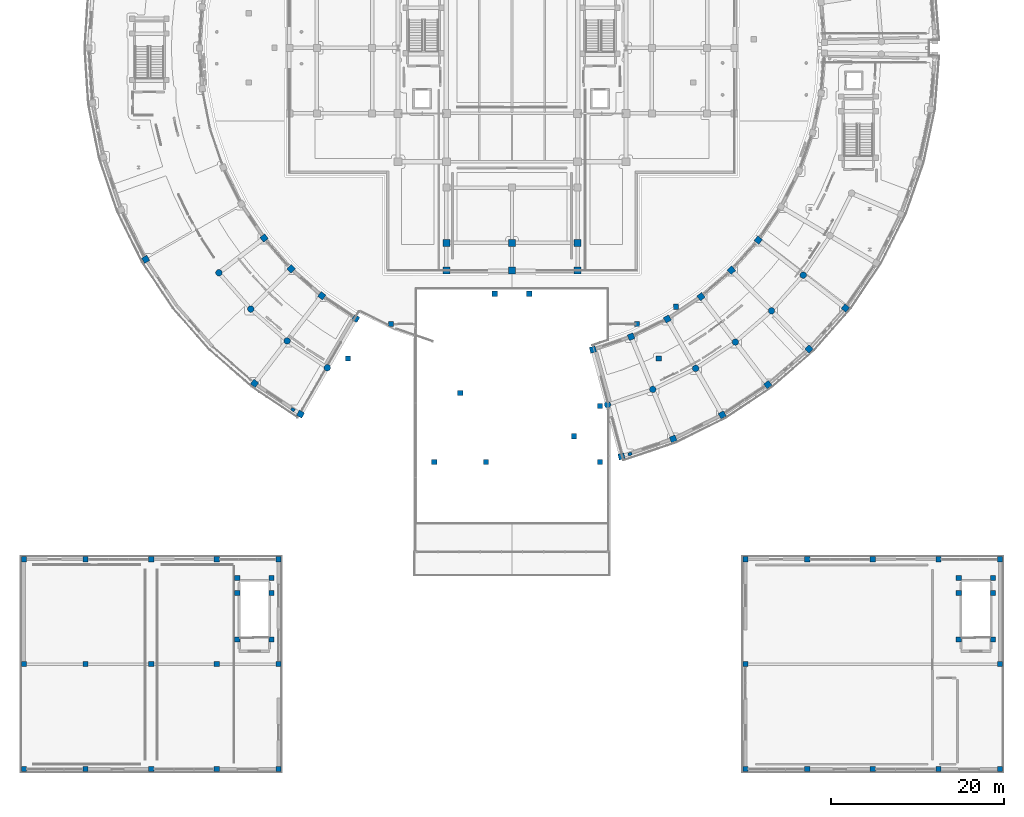
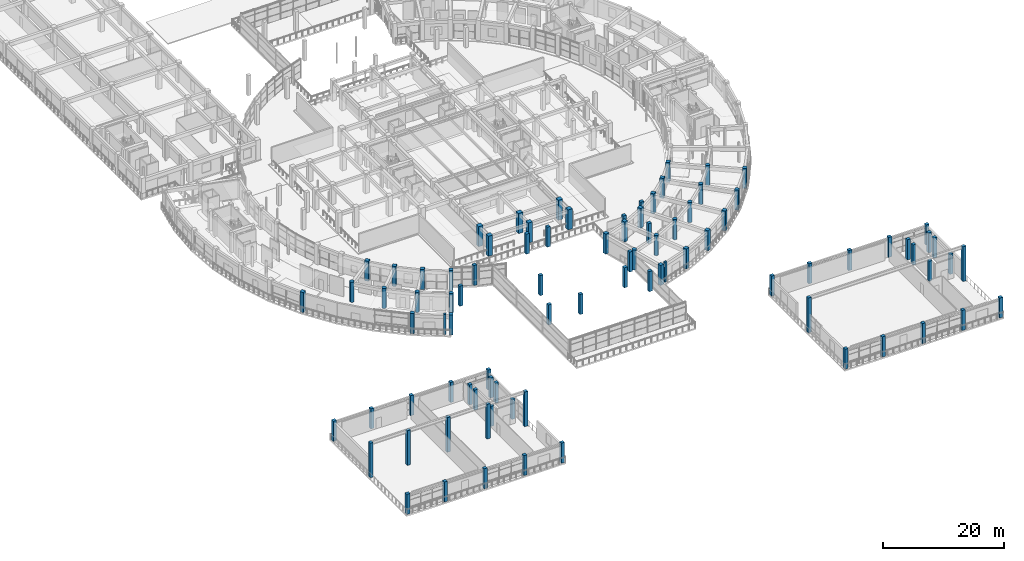
# One storey, part 1 of 87: 89 columns.
"""IFC4 building model written with IfcOpenShell, lengths in metres."""

from ifc_helpers import new_model, si_unit, direction, frame, origin, origin_2d, place, context, subcontext, project, spatial, rectangle, circle, extrude, material, material_profile, profile_set, type_object, element, save


model = new_model("IFC4")

# Units and contexts
model_context = context("Model", 3, precision=1e-05, world=origin(), true_north=direction((0.0, 1.0)))
body_context = subcontext(model_context, "Body", "Model", "MODEL_VIEW")
ifc_project = project(units=[si_unit("LENGTHUNIT", "METRE"), si_unit("AREAUNIT", "SQUARE_METRE"), si_unit("VOLUMEUNIT", "CUBIC_METRE"), si_unit("PLANEANGLEUNIT", "RADIAN"), si_unit("MASSUNIT", "GRAM", prefix="KILO")], contexts=[model_context])

# Site, building, storey
site_placement = place(None, origin())
site = spatial("IfcSite", under=ifc_project, at=site_placement, CompositionType="ELEMENT")
building_placement = place(site_placement, origin())
building = spatial("IfcBuilding", under=site, at=building_placement, Name="Saryqyr Civic Hall", CompositionType="ELEMENT")
storey_placement = place(building_placement, frame((0.0, 0.0, 5.10009765625)))
storey = spatial("IfcBuildingStorey", under=building, at=storey_placement, Name="L01", CompositionType="ELEMENT", Elevation=5.10009765625)

# Columns
ifc_material_1 = material(Name="Concrete C40/50", Category="concrete")
ifc_material_profile_1 = material_profile(ifc_material_1, rectangle(XDim=0.60009765625, YDim=0.60009765625, at=origin_2d()), Name="RC 600x600")
ifc_profile_set_1 = profile_set([ifc_material_profile_1], Name="Concrete C40/50")
column_type_1 = type_object("IfcColumnType", Name="STR-COL-RC600-C40", PredefinedType="COLUMN", material=ifc_profile_set_1)
column_1_placement = place(storey_placement, frame((0.449951171875, 0.449951171875, 0.0), z_axis=(0.0, 0.0, 1.0), x_axis=(1.0, 0.0, 0.0)))
element("IfcColumn", 1, at=column_1_placement, inside=storey, type_object=column_type_1, Name="Column V7W-COL-11-L01", PredefinedType="COLUMN", context=body_context, shape_type="SweptSolid", body=[
    extrude(rectangle(XDim=0.60009765625, YDim=0.60009765625, at=origin_2d()), origin(), (0.0, 0.0, 1.0), 4.0498046875),
])
column_2_placement = place(storey_placement, frame((0.449951171875, 12.60009765625, 0.0), z_axis=(0.0, 0.0, 1.0), x_axis=(1.0, 0.0, 0.0)))
element("IfcColumn", 2, at=column_2_placement, inside=storey, type_object=column_type_1, Name="Column V7W-COL-12-L01", PredefinedType="COLUMN", context=body_context, shape_type="SweptSolid", body=[
    extrude(rectangle(XDim=0.60009765625, YDim=0.60009765625, at=origin_2d()), origin(), (0.0, 0.0, 1.0), 7.0),
])
for number, where, z_axis, x_axis, name in (
    (3, (0.449951171875, 24.75, 0.0), (0.0, 0.0, 1.0), (1.0, 0.0, 0.0), "Column V7W-COL-13-L01"),
    (4, (7.60009765625, 0.449951171875, 0.0), (0.0, 0.0, 1.0), (1.0, 0.0, 0.0), "Column V7W-COL-21-L01"),
):
    element("IfcColumn", number, at=place(storey_placement, frame(where, z_axis=z_axis, x_axis=x_axis)), inside=storey, type_object=column_type_1, Name=name, PredefinedType="COLUMN", context=body_context, shape_type="SweptSolid", body=[
        extrude(rectangle(XDim=0.60009765625, YDim=0.60009765625, at=origin_2d()), origin(), (0.0, 0.0, 1.0), 4.0498046875),
    ])
column_3_placement = place(storey_placement, frame((7.60009765625, 12.60009765625, 0.0), z_axis=(0.0, 0.0, 1.0), x_axis=(1.0, 0.0, 0.0)))
element("IfcColumn", 5, at=column_3_placement, inside=storey, type_object=column_type_1, Name="Column V7W-COL-22-L01", PredefinedType="COLUMN", context=body_context, shape_type="SweptSolid", body=[
    extrude(rectangle(XDim=0.60009765625, YDim=0.60009765625, at=origin_2d()), origin(), (0.0, 0.0, 1.0), 7.0),
])
for number, where, z_axis, x_axis, name in (
    (6, (7.60009765625, 24.75, 0.0), (0.0, 0.0, 1.0), (1.0, 0.0, 0.0), "Column V7W-COL-23-L01"),
    (7, (15.199951171875, 0.449951171875, 0.0), (0.0, 0.0, 1.0), (1.0, 0.0, 0.0), "Column V7W-COL-31-L01"),
):
    element("IfcColumn", number, at=place(storey_placement, frame(where, z_axis=z_axis, x_axis=x_axis)), inside=storey, type_object=column_type_1, Name=name, PredefinedType="COLUMN", context=body_context, shape_type="SweptSolid", body=[
        extrude(rectangle(XDim=0.60009765625, YDim=0.60009765625, at=origin_2d()), origin(), (0.0, 0.0, 1.0), 4.0498046875),
    ])
column_4_placement = place(storey_placement, frame((15.199951171875, 12.60009765625, 0.0), z_axis=(0.0, 0.0, 1.0), x_axis=(1.0, 0.0, 0.0)))
element("IfcColumn", 8, at=column_4_placement, inside=storey, type_object=column_type_1, Name="Column V7W-COL-32-L01", PredefinedType="COLUMN", context=body_context, shape_type="SweptSolid", body=[
    extrude(rectangle(XDim=0.60009765625, YDim=0.60009765625, at=origin_2d()), origin(), (0.0, 0.0, 1.0), 7.0),
])
for number, where, z_axis, x_axis, name in (
    (9, (15.199951171875, 24.75, 0.0), (0.0, 0.0, 1.0), (1.0, 0.0, 0.0), "Column V7W-COL-33-L01"),
    (10, (22.800048828125, 0.449951171875, 0.0), (0.0, 0.0, 1.0), (1.0, 0.0, 0.0), "Column V7W-COL-41-L01"),
):
    element("IfcColumn", number, at=place(storey_placement, frame(where, z_axis=z_axis, x_axis=x_axis)), inside=storey, type_object=column_type_1, Name=name, PredefinedType="COLUMN", context=body_context, shape_type="SweptSolid", body=[
        extrude(rectangle(XDim=0.60009765625, YDim=0.60009765625, at=origin_2d()), origin(), (0.0, 0.0, 1.0), 4.0498046875),
    ])
column_5_placement = place(storey_placement, frame((22.800048828125, 12.60009765625, 0.0), z_axis=(0.0, 0.0, 1.0), x_axis=(1.0, 0.0, 0.0)))
element("IfcColumn", 11, at=column_5_placement, inside=storey, type_object=column_type_1, Name="Column V7W-COL-42-L01", PredefinedType="COLUMN", context=body_context, shape_type="SweptSolid", body=[
    extrude(rectangle(XDim=0.60009765625, YDim=0.60009765625, at=origin_2d()), origin(), (0.0, 0.0, 1.0), 7.0),
])
for number, where, z_axis, x_axis, name in (
    (12, (22.800048828125, 24.75, 0.0), (0.0, 0.0, 1.0), (1.0, 0.0, 0.0), "Column V7W-COL-43-L01"),
    (13, (29.949951171875, 0.449951171875, 0.0), (0.0, 0.0, 1.0), (1.0, 0.0, 0.0), "Column V7W-COL-51-L01"),
):
    element("IfcColumn", number, at=place(storey_placement, frame(where, z_axis=z_axis, x_axis=x_axis)), inside=storey, type_object=column_type_1, Name=name, PredefinedType="COLUMN", context=body_context, shape_type="SweptSolid", body=[
        extrude(rectangle(XDim=0.60009765625, YDim=0.60009765625, at=origin_2d()), origin(), (0.0, 0.0, 1.0), 4.0498046875),
    ])
column_6_placement = place(storey_placement, frame((29.949951171875, 12.60009765625, 0.0), z_axis=(0.0, 0.0, 1.0), x_axis=(1.0, 0.0, 0.0)))
element("IfcColumn", 14, at=column_6_placement, inside=storey, type_object=column_type_1, Name="Column V7W-COL-52-L01", PredefinedType="COLUMN", context=body_context, shape_type="SweptSolid", body=[
    extrude(rectangle(XDim=0.60009765625, YDim=0.60009765625, at=origin_2d()), origin(), (0.0, 0.0, 1.0), 7.0),
])
for number, where, z_axis, x_axis, name in (
    (15, (29.949951171875, 24.75, 0.0), (0.0, 0.0, 1.0), (1.0, 0.0, 0.0), "Column V7W-COL-53-L01"),
    (16, (84.050048828125, 0.449951171875, 0.0), (0.0, 0.0, 1.0), (1.0, 0.0, 0.0), "Column V7E-COL-11-L01"),
):
    element("IfcColumn", number, at=place(storey_placement, frame(where, z_axis=z_axis, x_axis=x_axis)), inside=storey, type_object=column_type_1, Name=name, PredefinedType="COLUMN", context=body_context, shape_type="SweptSolid", body=[
        extrude(rectangle(XDim=0.60009765625, YDim=0.60009765625, at=origin_2d()), origin(), (0.0, 0.0, 1.0), 4.0498046875),
    ])
column_7_placement = place(storey_placement, frame((84.050048828125, 12.60009765625, 0.0), z_axis=(0.0, 0.0, 1.0), x_axis=(1.0, 0.0, 0.0)))
element("IfcColumn", 17, at=column_7_placement, inside=storey, type_object=column_type_1, Name="Column V7E-COL-12-L01", PredefinedType="COLUMN", context=body_context, shape_type="SweptSolid", body=[
    extrude(rectangle(XDim=0.60009765625, YDim=0.60009765625, at=origin_2d()), origin(), (0.0, 0.0, 1.0), 7.0),
])
for number, where, z_axis, x_axis, name in (
    (18, (84.050048828125, 24.75, 0.0), (0.0, 0.0, 1.0), (1.0, 0.0, 0.0), "Column V7E-COL-13-L01"),
    (19, (91.199951171875, 0.449951171875, 0.0), (0.0, 0.0, 1.0), (1.0, 0.0, 0.0), "Column V7E-COL-21-L01"),
    (20, (91.199951171875, 24.75, 0.0), (0.0, 0.0, 1.0), (1.0, 0.0, 0.0), "Column V7E-COL-23-L01"),
    (21, (98.800048828125, 0.449951171875, 0.0), (0.0, 0.0, 1.0), (1.0, 0.0, 0.0), "Column V7E-COL-31-L01"),
    (22, (98.800048828125, 24.75, 0.0), (0.0, 0.0, 1.0), (1.0, 0.0, 0.0), "Column V7E-COL-33-L01"),
    (23, (106.39990234375, 0.449951171875, 0.0), (0.0, 0.0, 1.0), (1.0, 0.0, 0.0), "Column V7E-COL-41-L01"),
    (24, (106.39990234375, 24.75, 0.0), (0.0, 0.0, 1.0), (1.0, 0.0, 0.0), "Column V7E-COL-43-L01"),
    (25, (113.550048828125, 0.449951171875, 0.0), (0.0, 0.0, 1.0), (1.0, 0.0, 0.0), "Column V7E-COL-51-L01"),
):
    element("IfcColumn", number, at=place(storey_placement, frame(where, z_axis=z_axis, x_axis=x_axis)), inside=storey, type_object=column_type_1, Name=name, PredefinedType="COLUMN", context=body_context, shape_type="SweptSolid", body=[
        extrude(rectangle(XDim=0.60009765625, YDim=0.60009765625, at=origin_2d()), origin(), (0.0, 0.0, 1.0), 4.0498046875),
    ])
column_8_placement = place(storey_placement, frame((113.550048828125, 12.60009765625, 0.0), z_axis=(0.0, 0.0, 1.0), x_axis=(1.0, 0.0, 0.0)))
element("IfcColumn", 26, at=column_8_placement, inside=storey, type_object=column_type_1, Name="Column V7E-COL-52-L01", PredefinedType="COLUMN", context=body_context, shape_type="SweptSolid", body=[
    extrude(rectangle(XDim=0.60009765625, YDim=0.60009765625, at=origin_2d()), origin(), (0.0, 0.0, 1.0), 7.0),
])
for number, where, z_axis, x_axis, name in (
    (27, (113.550048828125, 24.75, 0.0), (0.0, 0.0, 1.0), (1.0, 0.0, 0.0), "Column V7E-COL-53-L01"),
    (28, (29.139892578125, 15.465087890625, 0.0), (0.0, 0.0, 1.0), (1.0, 0.0, 0.0), "Column ST-7-SCOL-TRMA-L01"),
    (29, (25.159912109375, 15.465087890625, 0.0), (0.0, 0.0, 1.0), (1.0, 0.0, 0.0), "Column ST-7-SCOL-TRMB-L01"),
    (30, (29.139892578125, 20.85009765625, 0.0), (0.0, 0.0, 1.0), (1.0, 0.0, 0.0), "Column ST-7-SCOL-LND1A-L01"),
    (31, (25.159912109375, 20.85009765625, 0.0), (0.0, 0.0, 1.0), (1.0, 0.0, 0.0), "Column ST-7-SCOL-LND1B-L01"),
    (32, (29.139892578125, 22.580078125, 0.0), (0.0, 0.0, 1.0), (1.0, 0.0, 0.0), "Column ST-7-SCOL-LND2A-L01"),
    (33, (25.159912109375, 22.580078125, 0.0), (0.0, 0.0, 1.0), (1.0, 0.0, 0.0), "Column ST-7-SCOL-LND2B-L01"),
    (34, (112.739990234375, 15.465087890625, 0.0), (0.0, 0.0, 1.0), (1.0, 0.0, 0.0), "Column ST-8-SCOL-TRMA-L01"),
    (35, (108.760009765625, 15.465087890625, 0.0), (0.0, 0.0, 1.0), (1.0, 0.0, 0.0), "Column ST-8-SCOL-TRMB-L01"),
    (36, (112.739990234375, 20.85009765625, 0.0), (0.0, 0.0, 1.0), (1.0, 0.0, 0.0), "Column ST-8-SCOL-LND1A-L01"),
    (37, (108.760009765625, 20.85009765625, 0.0), (0.0, 0.0, 1.0), (1.0, 0.0, 0.0), "Column ST-8-SCOL-LND1B-L01"),
    (38, (112.739990234375, 22.580078125, 0.0), (0.0, 0.0, 1.0), (1.0, 0.0, 0.0), "Column ST-8-SCOL-LND2A-L01"),
    (39, (108.760009765625, 22.580078125, 0.0), (0.0, 0.0, 1.0), (1.0, 0.0, 0.0), "Column ST-8-SCOL-LND2B-L01"),
    (40, (38.0, 48.0, 0.0), (0.0, 0.0, 1.0), (1.0, 0.0, 0.0), "Column V2-XCOL-07-L01"),
    (41, (43.0, 52.0, 0.0), (0.0, 0.0, 1.0), (1.0, 0.0, 0.0), "Column V2-XCOL-08-L01"),
    (42, (48.0, 36.0, 0.0), (0.0, 0.0, 1.0), (1.0, 0.0, 0.0), "Column V2-XCOL-10-L01"),
    (43, (54.0, 36.0, 0.0), (0.0, 0.0, 1.0), (1.0, 0.0, 0.0), "Column V2-XCOL-11-L01"),
    (44, (51.0, 44.0, 0.0), (0.0, 0.0, 1.0), (1.0, 0.0, 0.0), "Column V2-XCOL-12-L01"),
    (45, (71.5, 52.0, 0.0), (0.0, 0.0, 1.0), (1.0, 0.0, 0.0), "Column V2-XCOL-13-L01"),
    (46, (76.0, 54.0, 0.0), (0.0, 0.0, 1.0), (1.0, 0.0, 0.0), "Column V2-XCOL-14-L01"),
    (47, (74.0, 48.0, 0.0), (0.0, 0.0, 1.0), (1.0, 0.0, 0.0), "Column V2-XCOL-15-L01"),
    (48, (67.199951171875, 36.0, 0.0), (0.0, 0.0, 1.0), (1.0, 0.0, 0.0), "Column V2-XCOL-25-L01"),
    (49, (67.199951171875, 42.5, 0.0), (0.0, 0.0, 1.0), (1.0, 0.0, 0.0), "Column V2-XCOL-26-L01"),
    (50, (64.199951171875, 39.0, 0.0), (0.0, 0.0, 1.0), (1.0, 0.0, 0.0), "Column V2-XCOL-27-L01"),
    (51, (55.0, 55.5, 0.0), (0.0, 0.0, 1.0), (1.0, 0.0, 0.0), "Column V2-XCOL-31-L01"),
    (52, (59.0, 55.5, 0.0), (0.0, 0.0, 1.0), (1.0, 0.0, 0.0), "Column V2-XCOL-32-L01"),
):
    element("IfcColumn", number, at=place(storey_placement, frame(where, z_axis=z_axis, x_axis=x_axis)), inside=storey, type_object=column_type_1, Name=name, PredefinedType="COLUMN", context=body_context, shape_type="SweptSolid", body=[
        extrude(rectangle(XDim=0.60009765625, YDim=0.60009765625, at=origin_2d()), origin(), (0.0, 0.0, 1.0), 4.0498046875),
    ])
ifc_material_profile_2 = material_profile(ifc_material_1, rectangle(XDim=0.699951171875, YDim=0.699951171875, at=origin_2d()), Name="RC 700x700")
ifc_profile_set_2 = profile_set([ifc_material_profile_2], Name="Concrete C40/50")
column_type_2 = type_object("IfcColumnType", Name="STR-COL-RC700-C40", PredefinedType="COLUMN", material=ifc_profile_set_2)
for number, where, z_axis, x_axis, name in (
    (53, (14.564697265625, 59.5, 0.0), (0.0, 0.0, 1.0), (-0.866025403784, -0.5, 0.0), "Column V4-COL-OUT06-L01"),
    (54, (28.280517578125, 61.962890625, 0.0), (0.0, 0.0, 1.0), (-0.793353340291, -0.608761429009, 0.0), "Column V4-COL-IN07-L01"),
    (55, (31.402587890625, 58.402587890625, 0.0), (0.0, 0.0, 1.0), (-0.707106781187, -0.707106781187, 0.0), "Column V4-COL-IN08-L01"),
    (56, (34.962890625, 55.280517578125, 0.0), (0.0, 0.0, 1.0), (-0.608761429009, -0.793353340291, 0.0), "Column V4-COL-IN09-L01"),
    (57, (27.170654296875, 45.125732421875, 0.0), (0.0, 0.0, 1.0), (-0.608761429009, -0.793353340291, 0.0), "Column V4-COL-OUT09-L01"),
    (58, (38.89990234375, 52.64990234375, 0.0), (0.0, 0.0, 1.0), (-0.5, -0.866025403784, 0.0), "Column V4-COL-IN10-L01"),
    (59, (32.5, 41.564697265625, 0.0), (0.0, 0.0, 1.0), (-0.5, -0.866025403784, 0.0), "Column V4-COL-OUT10-L01"),
    (60, (66.369140625, 49.033447265625, 0.0), (0.0, 0.0, 1.0), (0.258819045103, -0.965925826289, 0.0), "Column V5-COL-IN00-L01"),
    (61, (69.68212890625, 36.669677734375, 0.0), (0.0, 0.0, 1.0), (0.258819045103, -0.965925826289, 0.0), "Column V5-COL-OUT00-L01"),
    (62, (70.797607421875, 50.53271484375, 0.0), (0.0, 0.0, 1.0), (0.38107037635, -0.924546033612, 0.0), "Column V5-COL-IN01-L01"),
    (63, (75.676513671875, 38.698974609375, 0.0), (0.0, 0.0, 1.0), (0.38107037635, -0.924546033612, 0.0), "Column V5-COL-OUT01-L01"),
    (64, (74.995849609375, 52.590087890625, 0.0), (0.0, 0.0, 1.0), (0.4971254071, -0.867678701833, 0.0), "Column V5-COL-IN02-L01"),
    (65, (81.359130859375, 41.483642578125, 0.0), (0.0, 0.0, 1.0), (0.4971254071, -0.867678701833, 0.0), "Column V5-COL-OUT02-L01"),
    (66, (78.89404296875, 55.17138671875, 0.0), (0.0, 0.0, 1.0), (0.604877119416, -0.796318824597, 0.0), "Column V5-COL-IN03-L01"),
    (67, (86.635498046875, 44.977783203125, 0.0), (0.0, 0.0, 1.0), (0.604877119416, -0.796318824597, 0.0), "Column V5-COL-OUT03-L01"),
    (68, (82.427001953125, 58.2333984375, 0.0), (0.0, 0.0, 1.0), (0.70240155419, -0.711780904964, 0.0), "Column V5-COL-IN04-L01"),
    (69, (91.417724609375, 49.122802734375, 0.0), (0.0, 0.0, 1.0), (0.70240155419, -0.711780904964, 0.0), "Column V5-COL-OUT04-L01"),
    (70, (85.53564453125, 61.7255859375, 0.0), (0.0, 0.0, 1.0), (0.78822561199, -0.615386370179, 0.0), "Column V5-COL-IN05-L01"),
    (71, (95.625732421875, 53.849365234375, 0.0), (0.0, 0.0, 1.0), (0.78822561199, -0.615386370179, 0.0), "Column V5-COL-OUT05-L01"),
):
    element("IfcColumn", number, at=place(storey_placement, frame(where, z_axis=z_axis, x_axis=x_axis)), inside=storey, type_object=column_type_2, Name=name, PredefinedType="COLUMN", context=body_context, shape_type="SweptSolid", body=[
        extrude(rectangle(XDim=0.699951171875, YDim=0.699951171875, at=origin_2d()), origin(), (0.0, 0.0, 1.0), 4.0498046875),
    ])
ifc_material_profile_3 = material_profile(ifc_material_1, rectangle(XDim=0.800048828125, YDim=0.800048828125, at=origin_2d()), Name="RC 800x800")
ifc_profile_set_3 = profile_set([ifc_material_profile_3], Name="Concrete C40/50")
column_type_3 = type_object("IfcColumnType", Name="STR-COL-RC800-C40", PredefinedType="COLUMN", material=ifc_profile_set_3)
for number, where, z_axis, x_axis, name in (
    (72, (49.39990234375, 61.39990234375, 0.0), (0.0, 0.0, 1.0), (1.0, 0.0, 0.0), "Column V1-COL-S1P07-L01"),
    (73, (57.0, 61.39990234375, 0.0), (0.0, 0.0, 1.0), (1.0, 0.0, 0.0), "Column V1-COL-S1P08-L01"),
    (74, (64.60009765625, 61.39990234375, 0.0), (0.0, 0.0, 1.0), (1.0, 0.0, 0.0), "Column V1-COL-S1P09-L01"),
    (75, (49.39990234375, 58.199951171875, 0.0), (0.0, 0.0, 1.0), (1.0, 0.0, 0.0), "Column V1-COL-S0P07-L01"),
    (76, (57.0, 58.199951171875, 0.0), (0.0, 0.0, 1.0), (1.0, 0.0, 0.0), "Column V1-COL-S0P08-L01"),
    (77, (64.60009765625, 58.199951171875, 0.0), (0.0, 0.0, 1.0), (1.0, 0.0, 0.0), "Column V1-COL-S0P09-L01"),
):
    element("IfcColumn", number, at=place(storey_placement, frame(where, z_axis=z_axis, x_axis=x_axis)), inside=storey, type_object=column_type_3, Name=name, PredefinedType="COLUMN", context=body_context, shape_type="SweptSolid", body=[
        extrude(rectangle(XDim=0.800048828125, YDim=0.800048828125, at=origin_2d()), origin(), (0.0, 0.0, 1.0), 4.0498046875),
    ])
ifc_material_profile_4 = material_profile(ifc_material_1, circle(Radius=0.375, at=origin_2d()), Name="RC D750")
ifc_profile_set_4 = profile_set([ifc_material_profile_4], Name="Concrete C40/50")
column_type_4 = type_object("IfcColumnType", Name="STR-COL-RCD750-INT", PredefinedType="COLUMN", material=ifc_profile_set_4)
for number, where, z_axis, x_axis, name in (
    (78, (23.04443359375, 57.945068359375, 0.0), (0.0, 0.0, 1.0), (-0.793353340291, -0.608761429009, 0.0), "Column V4-COL-MID07-L01"),
    (79, (26.73583984375, 53.73583984375, 0.0), (0.0, 0.0, 1.0), (-0.707106781187, -0.707106781187, 0.0), "Column V4-COL-MID08-L01"),
    (80, (30.945068359375, 50.04443359375, 0.0), (0.0, 0.0, 1.0), (-0.608761429009, -0.793353340291, 0.0), "Column V4-COL-MID09-L01"),
    (81, (35.60009765625, 46.93408203125, 0.0), (0.0, 0.0, 1.0), (-0.5, -0.866025403784, 0.0), "Column V4-COL-MID10-L01"),
    (82, (68.077392578125, 42.658447265625, 0.0), (0.0, 0.0, 1.0), (0.258819045103, -0.965925826289, 0.0), "Column V5-COL-MID00-L01"),
    (83, (73.313232421875, 44.430908203125, 0.0), (0.0, 0.0, 1.0), (0.38107037635, -0.924546033612, 0.0), "Column V5-COL-MID01-L01"),
    (84, (78.277099609375, 46.86328125, 0.0), (0.0, 0.0, 1.0), (0.4971254071, -0.867678701833, 0.0), "Column V5-COL-MID02-L01"),
    (85, (82.8857421875, 49.915283203125, 0.0), (0.0, 0.0, 1.0), (0.604877119416, -0.796318824597, 0.0), "Column V5-COL-MID03-L01"),
    (86, (87.062744140625, 53.535888671875, 0.0), (0.0, 0.0, 1.0), (0.70240155419, -0.711780904964, 0.0), "Column V5-COL-MID04-L01"),
    (87, (90.73828125, 57.664306640625, 0.0), (0.0, 0.0, 1.0), (0.78822561199, -0.615386370179, 0.0), "Column V5-COL-MID05-L01"),
):
    element("IfcColumn", number, at=place(storey_placement, frame(where, z_axis=z_axis, x_axis=x_axis)), inside=storey, type_object=column_type_4, Name=name, PredefinedType="COLUMN", context=body_context, shape_type="SweptSolid", body=[
        extrude(circle(Radius=0.375, at=origin_2d()), origin(), (0.0, 0.0, 1.0), 4.0498046875),
    ])
ifc_material_2 = material(Name="Concrete C35/45", Category="concrete")
ifc_material_profile_5 = material_profile(ifc_material_2, rectangle(XDim=0.35009765625, YDim=0.449951171875, at=origin_2d()), Name="RC 350x450")
ifc_profile_set_5 = profile_set([ifc_material_profile_5], Name="Concrete C35/45")
column_type_5 = type_object("IfcColumnType", Name="STR-PIL-RC350x450-EXT", PredefinedType="PILASTER", material=ifc_profile_set_5)
for number, where, z_axis, x_axis, name in (
    (88, (31.61669921875, 42.087158203125, 0.0), (0.0, 0.0, 1.0), (-0.5, -0.866025403784, 0.0), "Column V4-PIL-10-L01"),
    (89, (70.670654296875, 36.945556640625, 0.0), (0.0, 0.0, 1.0), (0.258819045103, -0.965925826289, 0.0), "Column V5-PIL-00-L01"),
):
    element("IfcColumn", number, at=place(storey_placement, frame(where, z_axis=z_axis, x_axis=x_axis)), inside=storey, type_object=column_type_5, Name=name, PredefinedType="PILASTER", context=body_context, shape_type="SweptSolid", body=[
        extrude(rectangle(XDim=0.35009765625, YDim=0.449951171875, at=origin_2d()), origin(), (0.0, 0.0, 1.0), 4.0498046875),
    ])

save(model, "model.ifc")
